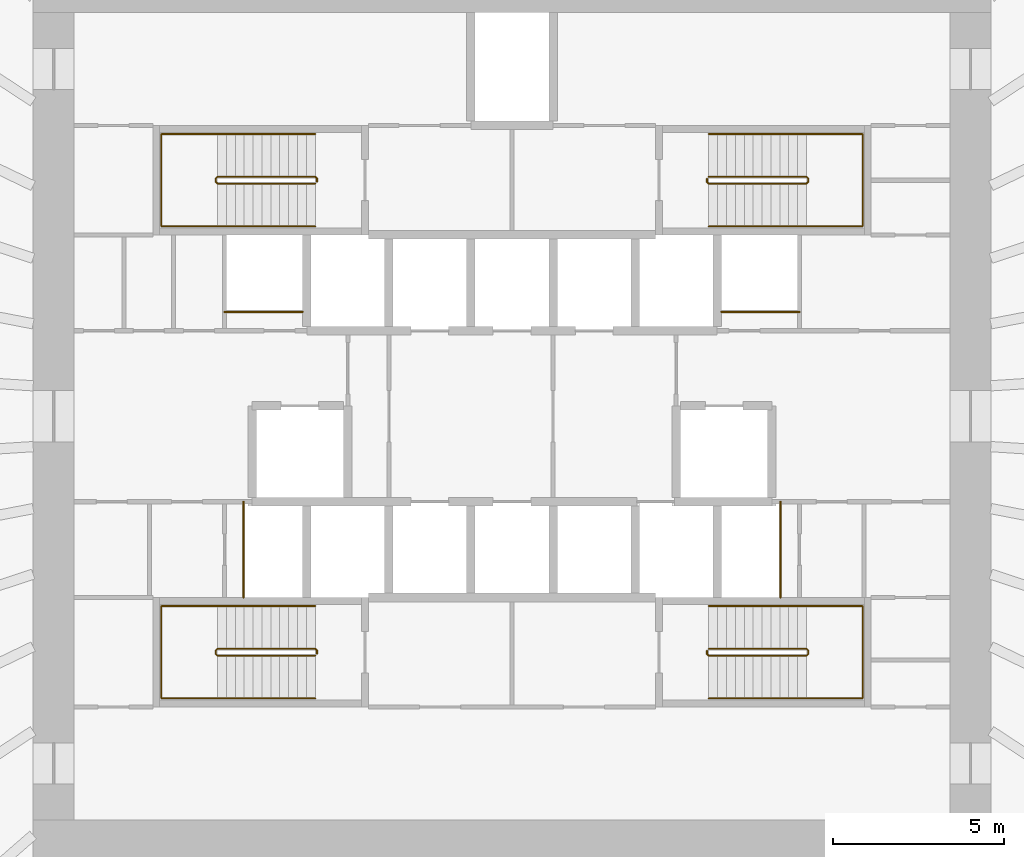
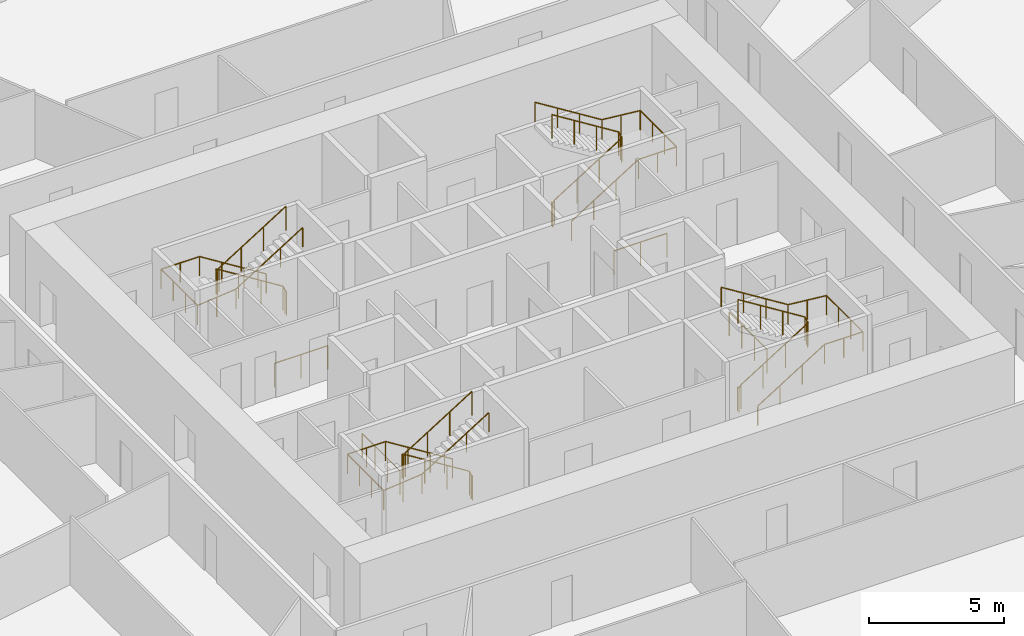
# One storey, part 13 of 13: 12 railings.
"""IFC4 building model written with IfcOpenShell, lengths in metres."""

from ifc_helpers import new_model, si_unit, direction, frame, origin, origin_2d, place, context, subcontext, project, spatial, circle, extrude, source, transform, mapped, material, type_object, element, save


model = new_model("IFC4")

# Units and contexts
model_context = context("Model", 3, precision=1e-05, world=origin(), true_north=direction((0.0, 1.0)))
body_context = subcontext(model_context, "Body", "Model", "MODEL_VIEW")
ifc_project = project(units=[si_unit("LENGTHUNIT", "METRE"), si_unit("AREAUNIT", "SQUARE_METRE"), si_unit("VOLUMEUNIT", "CUBIC_METRE"), si_unit("PLANEANGLEUNIT", "RADIAN"), si_unit("MASSUNIT", "GRAM", prefix="KILO")], contexts=[model_context])

# Site, building, storey
site_placement = place(None, origin())
site = spatial("IfcSite", under=ifc_project, at=site_placement, CompositionType="ELEMENT")
building_placement = place(site_placement, origin())
building = spatial("IfcBuilding", under=site, at=building_placement, Name="Embergate Tower", CompositionType="ELEMENT")
storey_placement = place(building_placement, frame((0.0, 0.0, 105.5)))
storey = spatial("IfcBuildingStorey", under=building, at=storey_placement, Name="L22", CompositionType="ELEMENT", Elevation=105.5)

# Railings
ifc_material_1 = material(Name="Stair guard 1100")
railing_type_1 = type_object("IfcRailingType", Name="Stair guard 1100", PredefinedType="GUARDRAIL", material=ifc_material_1)
shared_shape_1 = source(origin(), body_context, "Body", "SweptSolid", [
    extrude(circle(Radius=0.02392578125, at=origin_2d()), frame((0.0, 0.0, 1.076171875), z_axis=(0.0, 1.0, 0.0), x_axis=(-1.0, 0.0, 0.0)), (0.0, 0.0, 1.0), 0.099853515625),
    extrude(circle(Radius=0.02392578125, at=origin_2d()), frame((0.0, 0.099853515625, 1.076171875), z_axis=(-0.282227285176, 0.282227285176, 0.916894497205), x_axis=(-0.707106781187, -0.707106781187, 0.0)), (0.0, 0.0, 1.0), 0.17724609375),
    extrude(circle(Radius=0.02392578125, at=origin_2d()), frame((-0.050048828125, 0.14990234375, 1.23876953125), z_axis=(-0.848026770018, 0.0, 0.529953391661), x_axis=(0.0, -1.0, 0.0)), (0.0, 0.0, 1.0), 3.37255859375),
    extrude(circle(Radius=0.02392578125, at=origin_2d()), frame((-2.91015625, 0.14990234375, 3.02587890625), z_axis=(-0.705375805398, -0.708833529934, 0.0), x_axis=(0.708833529934, -0.705375805398, 0.0)), (0.0, 0.0, 1.0), 0.070556640625),
    extrude(circle(Radius=0.02392578125, at=origin_2d()), frame((-2.9599609375, 0.099853515625, 3.02587890625), z_axis=(0.0, -1.0, 0.0), x_axis=(1.0, 0.0, 0.0)), (0.0, 0.0, 1.0), 0.099853515625),
    extrude(circle(Radius=0.02392578125, at=origin_2d()), frame((-2.9599609375, 0.0, 3.02587890625), z_axis=(0.280959487676, -0.282336740067, 0.917250092119), x_axis=(0.708833529934, 0.705375805398, 0.0)), (0.0, 0.0, 1.0), 0.17724609375),
    extrude(circle(Radius=0.02392578125, at=origin_2d()), frame((-2.91015625, -0.050048828125, 3.1884765625), z_axis=(0.848026770018, 0.0, 0.529953391661), x_axis=(0.0, 1.0, 0.0)), (0.0, 0.0, 1.0), 3.37255859375),
    extrude(circle(Radius=0.02099609375, at=origin_2d()), origin(), (0.0, 0.0, 1.0), 1.052001953125),
    extrude(circle(Radius=0.02099609375, at=origin_2d()), frame((0.0, 0.099853515625, 0.0)), (0.0, 0.0, 1.0), 1.052001953125),
    extrude(circle(Radius=0.02099609375, at=origin_2d()), frame((-0.050048828125, 0.14990234375, 0.16259765625)), (0.0, 0.0, 1.0), 1.052001953125),
    extrude(circle(Radius=0.02099609375, at=origin_2d()), frame((-1.00341796875, 0.14990234375, 0.75830078125)), (0.0, 0.0, 1.0), 1.052001953125),
    extrude(circle(Radius=0.02099609375, at=origin_2d()), frame((-1.956787109375, 0.14990234375, 1.354248046875)), (0.0, 0.0, 1.0), 1.052001953125),
    extrude(circle(Radius=0.02099609375, at=origin_2d()), frame((-2.91015625, 0.14990234375, 1.949951171875)), (0.0, 0.0, 1.0), 1.052001953125),
    extrude(circle(Radius=0.02099609375, at=origin_2d()), frame((-2.9599609375, 0.099853515625, 1.949951171875)), (0.0, 0.0, 1.0), 1.052001953125),
    extrude(circle(Radius=0.02099609375, at=origin_2d()), frame((-2.9599609375, 0.0, 1.949951171875)), (0.0, 0.0, 1.0), 1.052001953125),
    extrude(circle(Radius=0.02099609375, at=origin_2d()), frame((-2.91015625, -0.050048828125, 2.112548828125)), (0.0, 0.0, 1.0), 1.052001953125),
    extrude(circle(Radius=0.02099609375, at=origin_2d()), frame((-1.956787109375, -0.050048828125, 2.708251953125)), (0.0, 0.0, 1.0), 1.052001953125),
    extrude(circle(Radius=0.02099609375, at=origin_2d()), frame((-1.00341796875, -0.050048828125, 3.30419921875)), (0.0, 0.0, 1.0), 1.052001953125),
    extrude(circle(Radius=0.02099609375, at=origin_2d()), frame((-0.050048828125, -0.050048828125, 3.89990234375)), (0.0, 0.0, 1.0), 1.052001953125),
])
for number, where, name in (
    (1, (-5.699951171875, 6.85009765625, 0.0), "L22 ST1 stair guard 1"),
    (2, (-5.699951171875, -6.949951171875, 0.0), "L22 ST3 stair guard 1"),
):
    element("IfcRailing", number, at=place(storey_placement, frame(where)), inside=storey, type_object=railing_type_1, Name=name, PredefinedType="GUARDRAIL", context=body_context, shape_type="MappedRepresentation", body=[
        mapped(shared_shape_1, transform((0.0, 0.0, 0.0))),
    ])
ifc_material_2 = material(Name="Stair handrail 900")
railing_type_2 = type_object("IfcRailingType", Name="Stair handrail 900", PredefinedType="HANDRAIL", material=ifc_material_2)
shared_shape_2 = source(origin(), body_context, "Body", "SweptSolid", [
    extrude(circle(Radius=0.02392578125, at=origin_2d()), frame((0.0, 0.0, 0.8759765625), z_axis=(-0.848026770018, 0.0, 0.529953391661), x_axis=(0.0, -1.0, 0.0)), (0.0, 0.0, 1.0), 3.37255859375),
    extrude(circle(Radius=0.02392578125, at=origin_2d()), frame((-2.860107421875, 0.0, 2.6630859375), z_axis=(-1.0, 0.0, 0.0), x_axis=(0.0, -1.0, 0.0)), (0.0, 0.0, 1.0), 1.639892578125),
    extrude(circle(Radius=0.02392578125, at=origin_2d()), frame((-4.5, 0.0, 2.6630859375), z_axis=(0.0, -1.0, 0.0), x_axis=(1.0, 0.0, 0.0)), (0.0, 0.0, 1.0), 2.699951171875),
    extrude(circle(Radius=0.02392578125, at=origin_2d()), frame((-4.5, -2.699951171875, 2.6630859375), z_axis=(0.995120448088, 0.0, 0.098667592441), x_axis=(0.0, 1.0, 0.0)), (0.0, 0.0, 1.0), 1.64794921875),
    extrude(circle(Radius=0.02392578125, at=origin_2d()), frame((-2.860107421875, -2.699951171875, 2.82568359375), z_axis=(0.848026770018, 0.0, 0.529953391661), x_axis=(0.0, 1.0, 0.0)), (0.0, 0.0, 1.0), 3.37255859375),
    extrude(circle(Radius=0.02099609375, at=origin_2d()), origin(), (0.0, 0.0, 1.0), 0.851806640625),
    extrude(circle(Radius=0.02099609375, at=origin_2d()), frame((-0.953369140625, 0.0, 0.595703125)), (0.0, 0.0, 1.0), 0.851806640625),
    extrude(circle(Radius=0.02099609375, at=origin_2d()), frame((-1.90673828125, 0.0, 1.191650390625)), (0.0, 0.0, 1.0), 0.851806640625),
    extrude(circle(Radius=0.02099609375, at=origin_2d()), frame((-2.860107421875, 0.0, 1.787353515625)), (0.0, 0.0, 1.0), 0.851806640625),
    extrude(circle(Radius=0.02099609375, at=origin_2d()), frame((-3.68017578125, 0.0, 1.787353515625)), (0.0, 0.0, 1.0), 0.851806640625),
    extrude(circle(Radius=0.02099609375, at=origin_2d()), frame((-4.5, 0.0, 1.787353515625)), (0.0, 0.0, 1.0), 0.851806640625),
    extrude(circle(Radius=0.02099609375, at=origin_2d()), frame((-4.5, -0.89990234375, 1.787353515625)), (0.0, 0.0, 1.0), 0.851806640625),
    extrude(circle(Radius=0.02099609375, at=origin_2d()), frame((-4.5, -1.800048828125, 1.787353515625)), (0.0, 0.0, 1.0), 0.851806640625),
    extrude(circle(Radius=0.02099609375, at=origin_2d()), frame((-4.5, -2.699951171875, 1.787353515625)), (0.0, 0.0, 1.0), 0.851806640625),
    extrude(circle(Radius=0.02099609375, at=origin_2d()), frame((-3.68017578125, -2.699951171875, 1.86865234375)), (0.0, 0.0, 1.0), 0.851806640625),
    extrude(circle(Radius=0.02099609375, at=origin_2d()), frame((-2.860107421875, -2.699951171875, 1.949951171875)), (0.0, 0.0, 1.0), 0.851806640625),
    extrude(circle(Radius=0.02099609375, at=origin_2d()), frame((-1.90673828125, -2.699951171875, 2.545654296875)), (0.0, 0.0, 1.0), 0.851806640625),
    extrude(circle(Radius=0.02099609375, at=origin_2d()), frame((-0.953369140625, -2.699951171875, 3.1416015625)), (0.0, 0.0, 1.0), 0.851806640625),
    extrude(circle(Radius=0.02099609375, at=origin_2d()), frame((0.0, -2.699951171875, 3.7373046875)), (0.0, 0.0, 1.0), 0.851806640625),
])
for number, where, name in (
    (3, (-5.75, 8.25, 0.16259765625), "L22 ST1 stair handrail 1"),
    (4, (-5.75, -5.550048828125, 0.16259765625), "L22 ST3 stair handrail 1"),
):
    element("IfcRailing", number, at=place(storey_placement, frame(where)), inside=storey, type_object=railing_type_2, Name=name, PredefinedType="HANDRAIL", context=body_context, shape_type="MappedRepresentation", body=[
        mapped(shared_shape_2, transform((0.0, 0.0, 0.0))),
    ])
shared_shape_3 = source(origin(), body_context, "Body", "SweptSolid", [
    extrude(circle(Radius=0.02392578125, at=origin_2d()), frame((0.0, 0.0, 1.076171875), z_axis=(0.0, -1.0, 0.0), x_axis=(1.0, 0.0, 0.0)), (0.0, 0.0, 1.0), 0.099853515625),
    extrude(circle(Radius=0.02392578125, at=origin_2d()), frame((0.0, -0.099853515625, 1.076171875), z_axis=(0.282227285176, -0.282227285176, 0.916894497205), x_axis=(0.707106781187, 0.707106781187, 0.0)), (0.0, 0.0, 1.0), 0.17724609375),
    extrude(circle(Radius=0.02392578125, at=origin_2d()), frame((0.050048828125, -0.14990234375, 1.23876953125), z_axis=(0.848026770018, 0.0, 0.529953391661), x_axis=(0.0, 1.0, 0.0)), (0.0, 0.0, 1.0), 3.37255859375),
    extrude(circle(Radius=0.02392578125, at=origin_2d()), frame((2.91015625, -0.14990234375, 3.02587890625), z_axis=(0.705375805398, 0.708833529934, 0.0), x_axis=(-0.708833529934, 0.705375805398, 0.0)), (0.0, 0.0, 1.0), 0.070556640625),
    extrude(circle(Radius=0.02392578125, at=origin_2d()), frame((2.9599609375, -0.099853515625, 3.02587890625), z_axis=(0.0, 1.0, 0.0), x_axis=(-1.0, 0.0, 0.0)), (0.0, 0.0, 1.0), 0.099853515625),
    extrude(circle(Radius=0.02392578125, at=origin_2d()), frame((2.9599609375, 0.0, 3.02587890625), z_axis=(-0.280959487676, 0.282336740067, 0.917250092119), x_axis=(-0.708833529934, -0.705375805398, 0.0)), (0.0, 0.0, 1.0), 0.17724609375),
    extrude(circle(Radius=0.02392578125, at=origin_2d()), frame((2.91015625, 0.050048828125, 3.1884765625), z_axis=(-0.848026770018, 0.0, 0.529953391661), x_axis=(0.0, -1.0, 0.0)), (0.0, 0.0, 1.0), 3.37255859375),
    extrude(circle(Radius=0.02099609375, at=origin_2d()), origin(), (0.0, 0.0, 1.0), 1.052001953125),
    extrude(circle(Radius=0.02099609375, at=origin_2d()), frame((0.0, -0.099853515625, 0.0)), (0.0, 0.0, 1.0), 1.052001953125),
    extrude(circle(Radius=0.02099609375, at=origin_2d()), frame((0.050048828125, -0.14990234375, 0.16259765625)), (0.0, 0.0, 1.0), 1.052001953125),
    extrude(circle(Radius=0.02099609375, at=origin_2d()), frame((1.00341796875, -0.14990234375, 0.75830078125)), (0.0, 0.0, 1.0), 1.052001953125),
    extrude(circle(Radius=0.02099609375, at=origin_2d()), frame((1.956787109375, -0.14990234375, 1.354248046875)), (0.0, 0.0, 1.0), 1.052001953125),
    extrude(circle(Radius=0.02099609375, at=origin_2d()), frame((2.91015625, -0.14990234375, 1.949951171875)), (0.0, 0.0, 1.0), 1.052001953125),
    extrude(circle(Radius=0.02099609375, at=origin_2d()), frame((2.9599609375, -0.099853515625, 1.949951171875)), (0.0, 0.0, 1.0), 1.052001953125),
    extrude(circle(Radius=0.02099609375, at=origin_2d()), frame((2.9599609375, 0.0, 1.949951171875)), (0.0, 0.0, 1.0), 1.052001953125),
    extrude(circle(Radius=0.02099609375, at=origin_2d()), frame((2.91015625, 0.050048828125, 2.112548828125)), (0.0, 0.0, 1.0), 1.052001953125),
    extrude(circle(Radius=0.02099609375, at=origin_2d()), frame((1.956787109375, 0.050048828125, 2.708251953125)), (0.0, 0.0, 1.0), 1.052001953125),
    extrude(circle(Radius=0.02099609375, at=origin_2d()), frame((1.00341796875, 0.050048828125, 3.30419921875)), (0.0, 0.0, 1.0), 1.052001953125),
    extrude(circle(Radius=0.02099609375, at=origin_2d()), frame((0.050048828125, 0.050048828125, 3.89990234375)), (0.0, 0.0, 1.0), 1.052001953125),
])
for number, where, name in (
    (5, (5.699951171875, 6.949951171875, 0.0), "L22 ST2 stair guard 1"),
    (6, (5.699951171875, -6.85009765625, 0.0), "L22 ST4 stair guard 1"),
):
    element("IfcRailing", number, at=place(storey_placement, frame(where)), inside=storey, type_object=railing_type_1, Name=name, PredefinedType="GUARDRAIL", context=body_context, shape_type="MappedRepresentation", body=[
        mapped(shared_shape_3, transform((0.0, 0.0, 0.0))),
    ])
shared_shape_4 = source(origin(), body_context, "Body", "SweptSolid", [
    extrude(circle(Radius=0.02392578125, at=origin_2d()), frame((0.0, 0.0, 0.8759765625), z_axis=(0.848026770018, 0.0, 0.529953391661), x_axis=(0.0, 1.0, 0.0)), (0.0, 0.0, 1.0), 3.37255859375),
    extrude(circle(Radius=0.02392578125, at=origin_2d()), frame((2.860107421875, 0.0, 2.6630859375), z_axis=(1.0, 0.0, 0.0), x_axis=(0.0, 1.0, 0.0)), (0.0, 0.0, 1.0), 1.639892578125),
    extrude(circle(Radius=0.02392578125, at=origin_2d()), frame((4.5, 0.0, 2.6630859375), z_axis=(0.0, 1.0, 0.0), x_axis=(-1.0, 0.0, 0.0)), (0.0, 0.0, 1.0), 2.699951171875),
    extrude(circle(Radius=0.02392578125, at=origin_2d()), frame((4.5, 2.699951171875, 2.6630859375), z_axis=(-0.995120448088, 0.0, 0.098667592441), x_axis=(0.0, -1.0, 0.0)), (0.0, 0.0, 1.0), 1.64794921875),
    extrude(circle(Radius=0.02392578125, at=origin_2d()), frame((2.860107421875, 2.699951171875, 2.82568359375), z_axis=(-0.848026770018, 0.0, 0.529953391661), x_axis=(0.0, -1.0, 0.0)), (0.0, 0.0, 1.0), 3.37255859375),
    extrude(circle(Radius=0.02099609375, at=origin_2d()), origin(), (0.0, 0.0, 1.0), 0.851806640625),
    extrude(circle(Radius=0.02099609375, at=origin_2d()), frame((0.953369140625, 0.0, 0.595703125)), (0.0, 0.0, 1.0), 0.851806640625),
    extrude(circle(Radius=0.02099609375, at=origin_2d()), frame((1.90673828125, 0.0, 1.191650390625)), (0.0, 0.0, 1.0), 0.851806640625),
    extrude(circle(Radius=0.02099609375, at=origin_2d()), frame((2.860107421875, 0.0, 1.787353515625)), (0.0, 0.0, 1.0), 0.851806640625),
    extrude(circle(Radius=0.02099609375, at=origin_2d()), frame((3.68017578125, 0.0, 1.787353515625)), (0.0, 0.0, 1.0), 0.851806640625),
    extrude(circle(Radius=0.02099609375, at=origin_2d()), frame((4.5, 0.0, 1.787353515625)), (0.0, 0.0, 1.0), 0.851806640625),
    extrude(circle(Radius=0.02099609375, at=origin_2d()), frame((4.5, 0.89990234375, 1.787353515625)), (0.0, 0.0, 1.0), 0.851806640625),
    extrude(circle(Radius=0.02099609375, at=origin_2d()), frame((4.5, 1.800048828125, 1.787353515625)), (0.0, 0.0, 1.0), 0.851806640625),
    extrude(circle(Radius=0.02099609375, at=origin_2d()), frame((4.5, 2.699951171875, 1.787353515625)), (0.0, 0.0, 1.0), 0.851806640625),
    extrude(circle(Radius=0.02099609375, at=origin_2d()), frame((3.68017578125, 2.699951171875, 1.86865234375)), (0.0, 0.0, 1.0), 0.851806640625),
    extrude(circle(Radius=0.02099609375, at=origin_2d()), frame((2.860107421875, 2.699951171875, 1.949951171875)), (0.0, 0.0, 1.0), 0.851806640625),
    extrude(circle(Radius=0.02099609375, at=origin_2d()), frame((1.90673828125, 2.699951171875, 2.545654296875)), (0.0, 0.0, 1.0), 0.851806640625),
    extrude(circle(Radius=0.02099609375, at=origin_2d()), frame((0.953369140625, 2.699951171875, 3.1416015625)), (0.0, 0.0, 1.0), 0.851806640625),
    extrude(circle(Radius=0.02099609375, at=origin_2d()), frame((0.0, 2.699951171875, 3.7373046875)), (0.0, 0.0, 1.0), 0.851806640625),
])
for number, where, name in (
    (7, (5.75, 5.550048828125, 0.16259765625), "L22 ST2 stair handrail 1"),
    (8, (5.75, -8.25, 0.16259765625), "L22 ST4 stair handrail 1"),
):
    element("IfcRailing", number, at=place(storey_placement, frame(where)), inside=storey, type_object=railing_type_2, Name=name, PredefinedType="HANDRAIL", context=body_context, shape_type="MappedRepresentation", body=[
        mapped(shared_shape_4, transform((0.0, 0.0, 0.0))),
    ])
ifc_material_3 = material(Name="Opening guard 1100")
railing_type_3 = type_object("IfcRailingType", Name="Opening guard 1100", PredefinedType="GUARDRAIL", material=ifc_material_3)
shared_shape_5 = source(origin(), body_context, "Body", "SweptSolid", [
    extrude(circle(Radius=0.02392578125, at=origin_2d()), frame((0.0, 0.0, 1.076171875), z_axis=(1.0, 0.0, 0.0), x_axis=(0.0, 1.0, 0.0)), (0.0, 0.0, 1.0), 2.27490234375),
    extrude(circle(Radius=0.02099609375, at=origin_2d()), origin(), (0.0, 0.0, 1.0), 1.052001953125),
    extrude(circle(Radius=0.02099609375, at=origin_2d()), frame((1.137451171875, 0.0, 0.0)), (0.0, 0.0, 1.0), 1.052001953125),
    extrude(circle(Radius=0.02099609375, at=origin_2d()), frame((2.27490234375, 0.0, 0.0)), (0.0, 0.0, 1.0), 1.052001953125),
])
for number, where, name in (
    (9, (-8.39990234375, 3.050048828125, 0.0), "Riser opening guard"),
    (10, (6.125, 3.050048828125, 0.0), "Riser opening guard"),
):
    element("IfcRailing", number, at=place(storey_placement, frame(where)), inside=storey, type_object=railing_type_3, Name=name, PredefinedType="GUARDRAIL", context=body_context, shape_type="MappedRepresentation", body=[
        mapped(shared_shape_5, transform((0.0, 0.0, 0.0))),
    ])
shared_shape_6 = source(origin(), body_context, "Body", "SweptSolid", [
    extrude(circle(Radius=0.02392578125, at=origin_2d()), frame((0.0, 0.0, 1.076171875), z_axis=(0.0, 1.0, 0.0), x_axis=(-1.0, 0.0, 0.0)), (0.0, 0.0, 1.0), 2.800048828125),
    extrude(circle(Radius=0.02099609375, at=origin_2d()), origin(), (0.0, 0.0, 1.0), 1.052001953125),
    extrude(circle(Radius=0.02099609375, at=origin_2d()), frame((0.0, 0.933349609375, 0.0)), (0.0, 0.0, 1.0), 1.052001953125),
    extrude(circle(Radius=0.02099609375, at=origin_2d()), frame((0.0, 1.86669921875, 0.0)), (0.0, 0.0, 1.0), 1.052001953125),
    extrude(circle(Radius=0.02099609375, at=origin_2d()), frame((0.0, 2.800048828125, 0.0)), (0.0, 0.0, 1.0), 1.052001953125),
])
for number, where, name in (
    (11, (-7.85009765625, -5.300048828125, 0.0), "Riser opening guard"),
    (12, (7.85009765625, -5.300048828125, 0.0), "Riser opening guard"),
):
    element("IfcRailing", number, at=place(storey_placement, frame(where)), inside=storey, type_object=railing_type_3, Name=name, PredefinedType="GUARDRAIL", context=body_context, shape_type="MappedRepresentation", body=[
        mapped(shared_shape_6, transform((0.0, 0.0, 0.0))),
    ])

save(model, "model.ifc")
